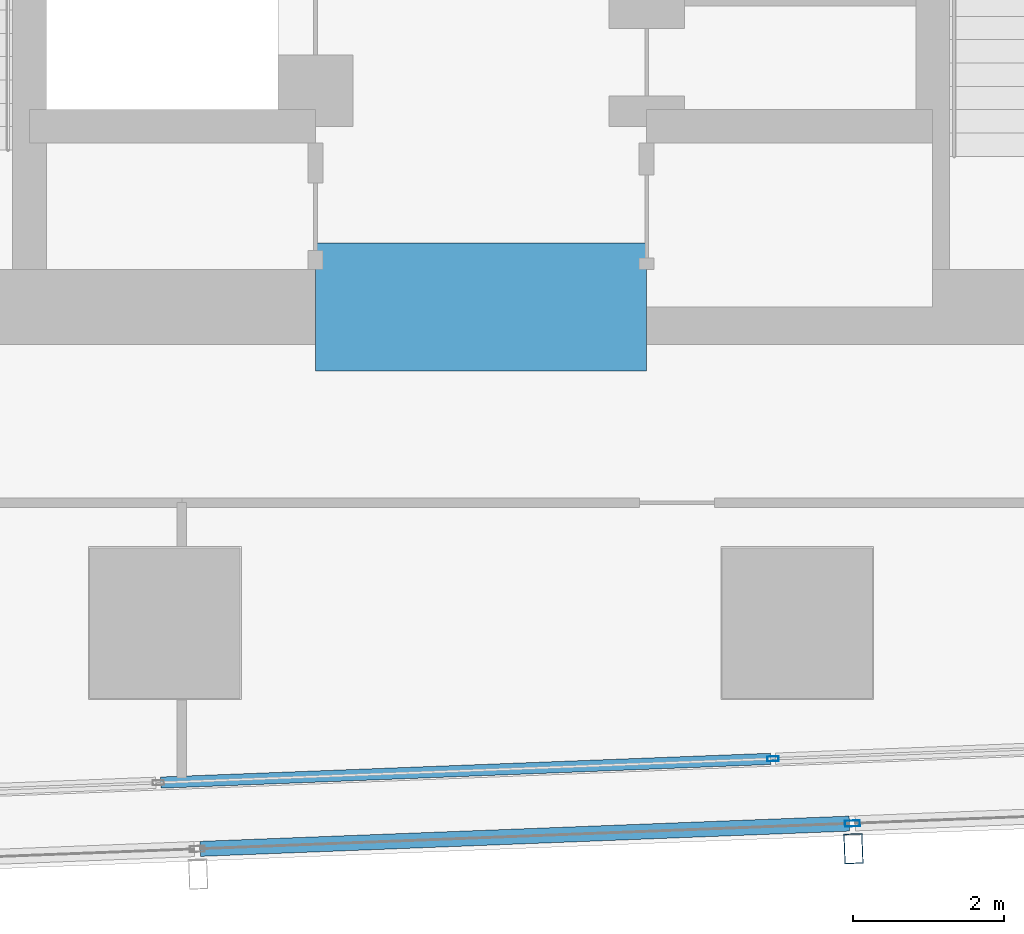
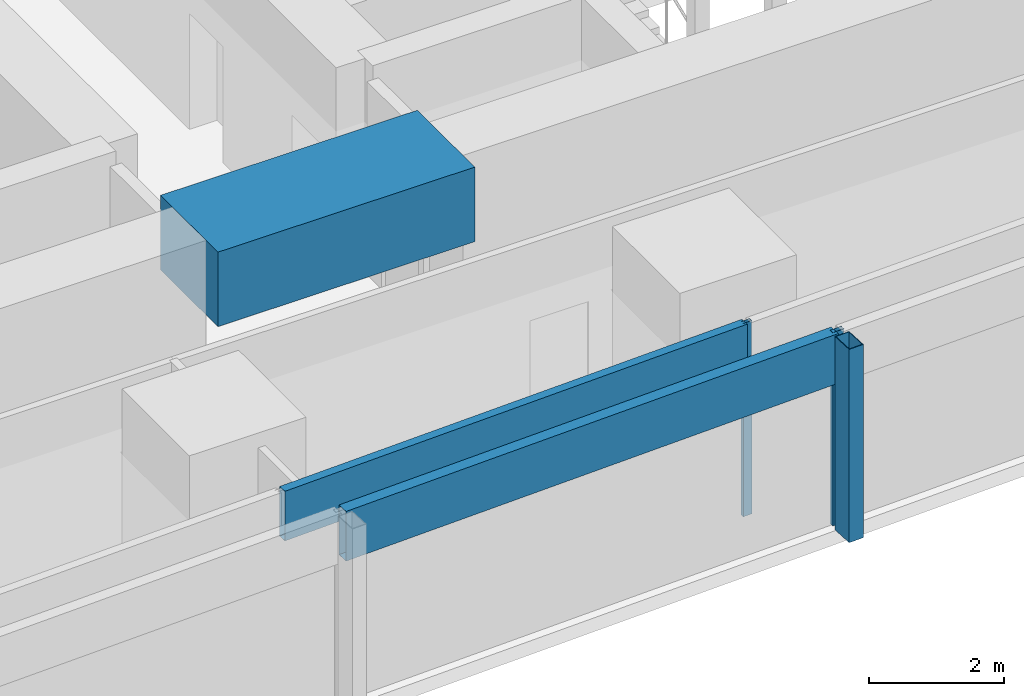
# One storey, part 9 of 39: 5 members, 1 beam, 2 elements without a shape of their own.
"""IFC4 building model written with IfcOpenShell, lengths in metres."""

import ifcopenshell
import ifcopenshell.guid

model = None  # the IFC model being written
_history = None  # IfcOwnerHistory: only IFC2X3 demands one
_inside = {}  # id of a spatial element -> (the spatial element, [elements in it])
_under = {}  # id of a project, library or spatial element -> (it, [spatial elements below it])
_declared = {}  # id of a project -> (the project, [libraries it declares])
_typed = {}  # id of a type object -> (the type object, [elements of that type])
_made_of = {}  # id of a material, layer set ... -> (it, [elements and type objects made of it])


def new_model(schema):
    """Start an empty IFC model of exactly this schema.

    Asked for "IFC4X3", IfcOpenShell would pick the latest addendum, in which some entities
    have other attributes; the version numbers below select the first issue.
    IFC2X3 requires an IfcOwnerHistory on every rooted entity: one is made here for all.
    """
    global model, _history
    if schema == "IFC4X3":
        model = ifcopenshell.file(schema_version=(4, 3, 0, 0))
    else:
        model = ifcopenshell.file(schema=schema)
    _inside.clear()
    _under.clear()
    _declared.clear()
    _typed.clear()
    _made_of.clear()
    _history = None
    if model.schema == "IFC2X3":
        org = make("IfcOrganization", Name="unknown")
        user = make(
            "IfcPersonAndOrganization",
            ThePerson=make("IfcPerson", FamilyName="unknown"),
            TheOrganization=org,
        )
        app = make(
            "IfcApplication",
            ApplicationDeveloper=org,
            Version="unknown",
            ApplicationFullName="unknown",
            ApplicationIdentifier="unknown",
        )
        _history = make(
            "IfcOwnerHistory",
            OwningUser=user,
            OwningApplication=app,
            ChangeAction="ADDED",
            CreationDate=0,
        )
    return model


def make(cls, **values):
    """One entity of the class cls with the attributes given. An attribute that is None is left unset."""
    return model.create_entity(
        cls, **{name: value for name, value in values.items() if value is not None}
    )


def rooted(cls, **values):
    """An entity with a GlobalId (a new one), such as an element, a storey or a relation."""
    return make(cls, GlobalId=ifcopenshell.guid.new(), OwnerHistory=_history, **values)


def si_unit(unit_type, name, prefix=None):
    """IfcSIUnit, for example si_unit("LENGTHUNIT", "METRE", prefix="MILLI")."""
    return make("IfcSIUnit", UnitType=unit_type, Prefix=prefix, Name=name)


def assignment(units):
    """IfcUnitAssignment: the units of a project."""
    return None if units is None else make("IfcUnitAssignment", Units=units)


def point(xyz):
    """IfcCartesianPoint."""
    return None if xyz is None else make("IfcCartesianPoint", Coordinates=xyz)


def direction(xyz):
    """IfcDirection."""
    return None if xyz is None else make("IfcDirection", DirectionRatios=xyz)


def frame(location, z_axis=None, x_axis=None):
    """IfcAxis2Placement3D, a coordinate frame: its origin and axes. An axis left out is left unset."""
    return make(
        "IfcAxis2Placement3D",
        Location=point(location),
        Axis=direction(z_axis),
        RefDirection=direction(x_axis),
    )


def frame_2d(location, x_axis=None):
    """IfcAxis2Placement2D, a coordinate frame in the plane: its origin and x axis."""
    return make(
        "IfcAxis2Placement2D", Location=point(location), RefDirection=direction(x_axis)
    )


def origin():
    """The frame at (0, 0, 0) with its axes left unset."""
    return frame((0.0, 0.0, 0.0))


def origin_2d():
    """The frame at (0, 0) in the plane with its x axis left unset."""
    return frame_2d((0.0, 0.0))


def place(relative_to, where):
    """IfcLocalPlacement: puts the frame where relative to a parent placement (None: the world)."""
    return make(
        "IfcLocalPlacement", PlacementRelTo=relative_to, RelativePlacement=where
    )


def context(
    kind, dimensions, precision=None, world=None, true_north=None, identifier=None
):
    """IfcGeometricRepresentationContext, for example the 3D "Model" context."""
    return make(
        "IfcGeometricRepresentationContext",
        ContextIdentifier=identifier,
        ContextType=kind,
        CoordinateSpaceDimension=dimensions,
        Precision=precision,
        WorldCoordinateSystem=world,
        TrueNorth=true_north,
    )


def subcontext(parent, identifier, kind, view, scale=None):
    """IfcGeometricRepresentationSubContext, for example "Body" below "Model"."""
    return make(
        "IfcGeometricRepresentationSubContext",
        ContextIdentifier=identifier,
        ContextType=kind,
        ParentContext=parent,
        TargetScale=scale,
        TargetView=view,
    )


def project(units=None, contexts=None):
    """IfcProject with its units and contexts."""
    return rooted(
        "IfcProject",
        Name="project",
        RepresentationContexts=contexts,
        UnitsInContext=assignment(units),
    )


def spatial(cls, under=None, at=None, **own):
    """A site, building, storey or space (cls), placed at a placement, below another one or the project."""
    s = rooted(cls, ObjectPlacement=at, **own)
    if under is not None:
        _under.setdefault(under.id(), (under, []))[1].append(s)
    return s


def profile(cls, at=None, kind="AREA", **sizes):
    """A parametric profile (cls). Its sizes go by their IFC names, for example OverallWidth=200.0."""
    return make(cls, ProfileType=kind, Position=at, **sizes)


def rectangle(**sizes):
    """IfcRectangleProfileDef."""
    return profile("IfcRectangleProfileDef", **sizes)


def hollow_rectangle(**sizes):
    """IfcRectangleHollowProfileDef."""
    return profile("IfcRectangleHollowProfileDef", **sizes)


def extrude(swept, where, along, depth):
    """IfcExtrudedAreaSolid: the profile swept, set in the frame where, extruded along a direction by depth."""
    return make(
        "IfcExtrudedAreaSolid",
        SweptArea=swept,
        Position=where,
        ExtrudedDirection=direction(along),
        Depth=depth,
    )


def shape(context_of_items, identifier, shape_type, items):
    """IfcShapeRepresentation: the items that make up one representation, for example the "Body"."""
    return make(
        "IfcShapeRepresentation",
        ContextOfItems=context_of_items,
        RepresentationIdentifier=identifier,
        RepresentationType=shape_type,
        Items=items,
    )


def material(Name=None, Category=None):
    """IfcMaterial."""
    return make("IfcMaterial", Name=Name, Category=Category)


def material_profile(
    of_material, cross_section, Name=None, Category=None, Priority=None
):
    """IfcMaterialProfile: a cross section and its material."""
    return make(
        "IfcMaterialProfile",
        Name=Name,
        Material=of_material,
        Profile=cross_section,
        Priority=Priority,
        Category=Category,
    )


def profile_set(profiles, Name=None, composite=None):
    """IfcMaterialProfileSet."""
    return make(
        "IfcMaterialProfileSet",
        Name=Name,
        MaterialProfiles=profiles,
        CompositeProfile=composite,
    )


def made_of(thing, what):
    """Note that an element or type object is made of a material, layer set ...; save() writes the relation."""
    if what is not None:
        _made_of.setdefault(what.id(), (what, []))[1].append(thing)
    return thing


def type_object(cls, material=None, **own):
    """A type object (cls), such as IfcWallType, which elements share."""
    return made_of(rooted(cls, **own), material)


def element(
    cls,
    number,
    at=None,
    inside=None,
    cuts=None,
    type_object=None,
    material=None,
    context=None,
    identifier="Body",
    shape_type=None,
    held_by="IfcProductDefinitionShape",
    body=None,
    shapes=None,
    **own,
):
    """One element of the class cls, such as IfcWall. Its Tag is "e" and its number.

    at: its placement. inside: the storey or other place that contains it. cuts: it is an
    opening in that element (IfcRelVoidsElement). A single representation is given by context,
    identifier, shape_type and body (its items); several are given by shapes. held_by: the class
    of the entity that holds the representations. save() writes the other relations.
    """
    e = rooted(cls, Tag="e%d" % number, ObjectPlacement=at, **own)
    if body is not None:
        shapes = [shape(context, identifier, shape_type, body)]
    if shapes is not None:
        e.Representation = make(held_by, Representations=shapes)
    if inside is not None:
        _inside.setdefault(inside.id(), (inside, []))[1].append(e)
    if cuts is not None:
        rooted(
            "IfcRelVoidsElement", RelatingBuildingElement=cuts, RelatedOpeningElement=e
        )
    if type_object is not None:
        _typed.setdefault(type_object.id(), (type_object, []))[1].append(e)
    return made_of(e, material)


def aggregate(whole, parts):
    """IfcRelAggregates: a whole, such as a stair, and the parts it consists of."""
    return rooted("IfcRelAggregates", RelatingObject=whole, RelatedObjects=parts)


def save(model, path):
    """Write the relations noted so far, then the file.

    IfcRelAggregates (storeys below a building ...), IfcRelContainedInSpatialStructure (elements
    in a storey), IfcRelDefinesByType, IfcRelAssociatesMaterial and IfcRelDeclares: one each for
    every whole, place, type object, material and project.
    """
    for whole, parts in _under.values():
        aggregate(whole, parts)
    for where, things in _inside.values():
        rooted(
            "IfcRelContainedInSpatialStructure",
            RelatedElements=things,
            RelatingStructure=where,
        )
    for kind, things in _typed.values():
        rooted("IfcRelDefinesByType", RelatedObjects=things, RelatingType=kind)
    for what, things in _made_of.values():
        rooted("IfcRelAssociatesMaterial", RelatedObjects=things, RelatingMaterial=what)
    for by, libraries in _declared.values():
        rooted("IfcRelDeclares", RelatingContext=by, RelatedDefinitions=libraries)
    model.write(path)


model = new_model("IFC4")

# Units and contexts
model_context = context("Model", 3, precision=1e-05, world=origin(), true_north=direction((0.0, 1.0)))
body_context = subcontext(model_context, "Body", "Model", "MODEL_VIEW")
ifc_project = project(units=[si_unit("LENGTHUNIT", "METRE"), si_unit("AREAUNIT", "SQUARE_METRE"), si_unit("VOLUMEUNIT", "CUBIC_METRE"), si_unit("PLANEANGLEUNIT", "RADIAN"), si_unit("MASSUNIT", "GRAM", prefix="KILO")], contexts=[model_context])

# Site, building, storey
site_placement = place(None, origin())
site = spatial("IfcSite", under=ifc_project, at=site_placement, CompositionType="ELEMENT")
building_placement = place(site_placement, origin())
building = spatial("IfcBuilding", under=site, at=building_placement, Name="Rekha Terrace Tower", CompositionType="ELEMENT")
storey_placement = place(building_placement, frame((0.0, 0.0, 151.550048828125)))
storey = spatial("IfcBuildingStorey", under=building, at=storey_placement, Name="L38", CompositionType="ELEMENT", Elevation=151.550048828125)

# Curtain wall, member
ifc_material_1 = material(Name="Aluminium framing", Category="aluminium")
curtain_wall_type_1 = type_object("IfcCurtainWallType", Name="CW2 double skin outer glazing", PredefinedType="USERDEFINED", material=ifc_material_1)
curtain_wall_1_placement = place(storey_placement, origin())
curtain_wall_1 = element("IfcCurtainWall", 1, at=curtain_wall_1_placement, inside=storey, type_object=curtain_wall_type_1, Name="CW2 double skin outer glazing", ObjectType="DOUBLE SKIN OUTER GLAZING", PredefinedType="USERDEFINED")
ifc_material_2 = material(Name="Steel S355 with fluorocarbon finish", Category="steel")
ifc_material_profile_1 = material_profile(ifc_material_2, hollow_rectangle(XDim=0.25, YDim=0.39990234375, WallThickness=0.012451171875, at=origin_2d()), Name="RHS400x250x12.5")
ifc_profile_set_1 = profile_set([ifc_material_profile_1], Name="Steel S355 with fluorocarbon finish")
member_type_1 = type_object("IfcMemberType", Name="BL1 facade blade RHS 400 x 250", PredefinedType="USERDEFINED", material=ifc_profile_set_1)
member_1_placement = place(storey_placement, frame((42.747314453125, 13.802978515625, 0.0), z_axis=(0.0, 0.0, 1.0), x_axis=(0.999243494356, 0.038890088543, 0.0)))
member_1 = element("IfcMember", 2, at=member_1_placement, type_object=member_type_1, Name="Facade blade", ObjectType="FACADE BLADE", PredefinedType="USERDEFINED", context=body_context, shape_type="SweptSolid", body=[
    extrude(hollow_rectangle(XDim=0.25, YDim=0.39990234375, WallThickness=0.012451171875, at=origin_2d()), origin(), (0.0, 0.0, 1.0), 3.5),
])

# Curtain wall, members
curtain_wall_type_2 = type_object("IfcCurtainWallType", Name="CW1 double skin inner glazing", PredefinedType="USERDEFINED", material=ifc_material_1)
curtain_wall_2_placement = place(storey_placement, origin())
curtain_wall_2 = element("IfcCurtainWall", 3, at=curtain_wall_2_placement, inside=storey, type_object=curtain_wall_type_2, Name="CW1 double skin inner glazing", ObjectType="DOUBLE SKIN INNER GLAZING", PredefinedType="USERDEFINED")
ifc_material_3 = material(Name="Aluminium mullion section", Category="aluminium")
ifc_material_profile_2 = material_profile(ifc_material_3, hollow_rectangle(XDim=0.06494140625, YDim=0.14990234375, WallThickness=0.00390625, at=origin_2d()), Name="AL RHS 65x150")
ifc_profile_set_2 = profile_set([ifc_material_profile_2], Name="Aluminium mullion section")
member_type_2 = type_object("IfcMemberType", Name="CW1 mullion RHS 65 x 150", PredefinedType="MULLION", material=ifc_profile_set_2)
member_2_placement = place(storey_placement, frame((41.678955078125, 14.99755859375, 0.0), z_axis=(0.0, 0.0, 1.0), x_axis=(-0.038889971328, 0.999243498918, 0.0)))
member_2 = element("IfcMember", 4, at=member_2_placement, type_object=member_type_2, Name="CW1 mullion 3", PredefinedType="MULLION", context=body_context, shape_type="SweptSolid", body=[
    extrude(hollow_rectangle(XDim=0.06494140625, YDim=0.14990234375, WallThickness=0.00390625, at=origin_2d()), origin(), (0.0, 0.0, 1.0), 3.5),
])
ifc_material_4 = material(Name="Insulated aluminium spandrel box", Category="aluminium")
ifc_material_profile_3 = material_profile(ifc_material_4, hollow_rectangle(XDim=0.14990234375, YDim=0.89990234375, WallThickness=0.0029296875, at=origin_2d()), Name="AL SPANDREL BOX 150x900")
ifc_profile_set_3 = profile_set([ifc_material_profile_3], Name="Insulated aluminium spandrel box")
member_type_3 = type_object("IfcMemberType", Name="CW1 spandrel transom 150 x 900", PredefinedType="USERDEFINED", material=ifc_profile_set_3)
member_3_placement = place(storey_placement, frame((33.545654296875, 14.680908203125, 3.050048828125), z_axis=(0.999242779109, 0.038908461789, 0.0), x_axis=(-0.038908461789, 0.999242779109, 0.0)))
member_3 = element("IfcMember", 5, at=member_3_placement, type_object=member_type_3, Name="CW1 spandrel transom 2", ObjectType="TRANSOM", PredefinedType="USERDEFINED", context=body_context, shape_type="SweptSolid", body=[
    extrude(hollow_rectangle(XDim=0.14990234375, YDim=0.89990234375, WallThickness=0.0029296875, at=origin_2d()), origin(), (0.0, 0.0, 1.0), 8.10693359375),
])
aggregate(curtain_wall_2, [member_2, member_3])

# Member
ifc_material_profile_4 = material_profile(ifc_material_3, hollow_rectangle(XDim=0.080078125, YDim=0.199951171875, WallThickness=0.00390625, at=origin_2d()), Name="AL RHS 80x200")
ifc_profile_set_4 = profile_set([ifc_material_profile_4], Name="Aluminium mullion section")
member_type_4 = type_object("IfcMemberType", Name="CW2 mullion RHS 80 x 200", PredefinedType="MULLION", material=ifc_profile_set_4)
member_4_placement = place(storey_placement, frame((42.734130859375, 14.137939453125, 0.0), z_axis=(0.0, 0.0, 1.0), x_axis=(-0.038889971345, 0.999243498917, 0.0)))
member_4 = element("IfcMember", 6, at=member_4_placement, type_object=member_type_4, Name="CW2 mullion 3", PredefinedType="MULLION", context=body_context, shape_type="SweptSolid", body=[
    extrude(hollow_rectangle(XDim=0.080078125, YDim=0.199951171875, WallThickness=0.00390625, at=origin_2d()), origin(), (0.0, 0.0, 1.0), 3.5),
])

ifc_material_profile_5 = material_profile(ifc_material_4, hollow_rectangle(XDim=0.199951171875, YDim=0.89990234375, WallThickness=0.0029296875, at=origin_2d()), Name="AL SPANDREL BOX 200x900")
ifc_profile_set_5 = profile_set([ifc_material_profile_5], Name="Insulated aluminium spandrel box")
member_type_5 = type_object("IfcMemberType", Name="CW2 spandrel transom 200 x 900", PredefinedType="USERDEFINED", material=ifc_profile_set_5)
member_5_placement = place(storey_placement, frame((34.069091796875, 13.800537109375, 3.050048828125), z_axis=(0.999243438523, 0.038891523097, 0.0), x_axis=(-0.038891523097, 0.999243438523, 0.0)))
member_5 = element("IfcMember", 7, at=member_5_placement, type_object=member_type_5, Name="CW2 spandrel transom 2", ObjectType="TRANSOM", PredefinedType="USERDEFINED", context=body_context, shape_type="SweptSolid", body=[
    extrude(hollow_rectangle(XDim=0.199951171875, YDim=0.89990234375, WallThickness=0.0029296875, at=origin_2d()), origin(), (0.0, 0.0, 1.0), 8.631591796875),
])

aggregate(curtain_wall_1, [member_4, member_5, member_1])

# Beam
ifc_material_5 = material(Name="Concrete M70", Category="concrete")
ifc_material_profile_6 = material_profile(ifc_material_5, rectangle(XDim=1.699951171875, YDim=1.35009765625, at=origin_2d()), Name="RC 1700x1350")
ifc_profile_set_6 = profile_set([ifc_material_profile_6], Name="Concrete M70")
beam_type = type_object("IfcBeamType", Name="LB2A 1700x1350 diagonally reinforced coupling beam", PredefinedType="LINTEL", material=ifc_profile_set_6)
beam_placement = place(storey_placement, frame((35.60009765625, 21.0, 3.074951171875), z_axis=(1.0, 0.0, 0.0), x_axis=(0.0, 1.0, 0.0)))
element("IfcBeam", 8, at=beam_placement, inside=storey, type_object=beam_type, Name="Coupling beam LB2A S L38", PredefinedType="LINTEL", context=body_context, shape_type="SweptSolid", body=[
    extrude(rectangle(XDim=1.699951171875, YDim=1.35009765625, at=origin_2d()), origin(), (0.0, 0.0, 1.0), 4.39990234375),
])

save(model, "model.ifc")
